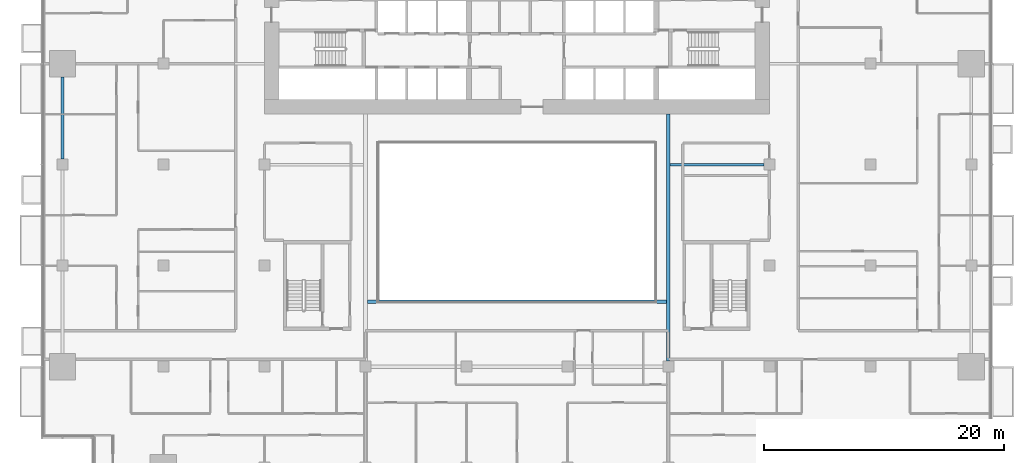
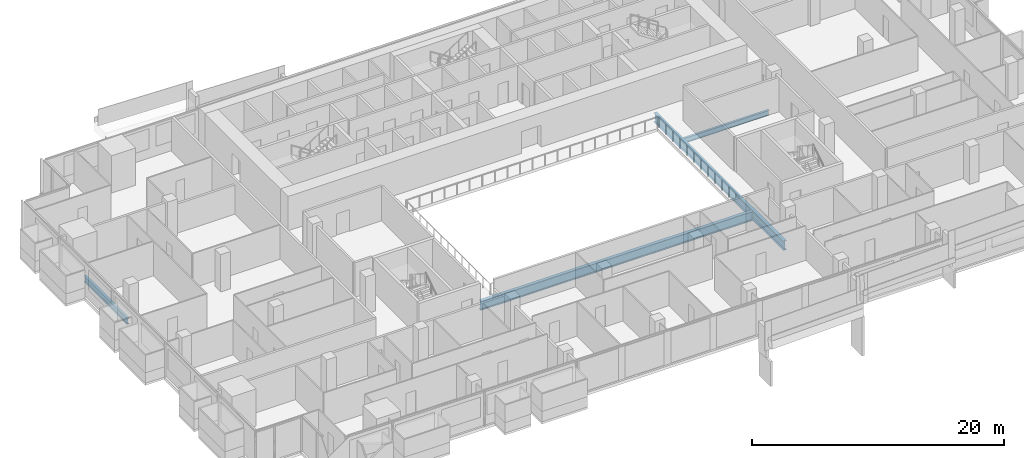
# One storey, part 7 of 27: 4 beams.
"""IFC4 building model written with IfcOpenShell, lengths in metres."""

import ifcopenshell
import ifcopenshell.guid

model = None  # the IFC model being written
_history = None  # IfcOwnerHistory: only IFC2X3 demands one
_inside = {}  # id of a spatial element -> (the spatial element, [elements in it])
_under = {}  # id of a project, library or spatial element -> (it, [spatial elements below it])
_declared = {}  # id of a project -> (the project, [libraries it declares])
_typed = {}  # id of a type object -> (the type object, [elements of that type])
_made_of = {}  # id of a material, layer set ... -> (it, [elements and type objects made of it])


def new_model(schema):
    """Start an empty IFC model of exactly this schema.

    Asked for "IFC4X3", IfcOpenShell would pick the latest addendum, in which some entities
    have other attributes; the version numbers below select the first issue.
    IFC2X3 requires an IfcOwnerHistory on every rooted entity: one is made here for all.
    """
    global model, _history
    if schema == "IFC4X3":
        model = ifcopenshell.file(schema_version=(4, 3, 0, 0))
    else:
        model = ifcopenshell.file(schema=schema)
    _inside.clear()
    _under.clear()
    _declared.clear()
    _typed.clear()
    _made_of.clear()
    _history = None
    if model.schema == "IFC2X3":
        org = make("IfcOrganization", Name="unknown")
        user = make(
            "IfcPersonAndOrganization",
            ThePerson=make("IfcPerson", FamilyName="unknown"),
            TheOrganization=org,
        )
        app = make(
            "IfcApplication",
            ApplicationDeveloper=org,
            Version="unknown",
            ApplicationFullName="unknown",
            ApplicationIdentifier="unknown",
        )
        _history = make(
            "IfcOwnerHistory",
            OwningUser=user,
            OwningApplication=app,
            ChangeAction="ADDED",
            CreationDate=0,
        )
    return model


def make(cls, **values):
    """One entity of the class cls with the attributes given. An attribute that is None is left unset."""
    return model.create_entity(
        cls, **{name: value for name, value in values.items() if value is not None}
    )


def rooted(cls, **values):
    """An entity with a GlobalId (a new one), such as an element, a storey or a relation."""
    return make(cls, GlobalId=ifcopenshell.guid.new(), OwnerHistory=_history, **values)


def si_unit(unit_type, name, prefix=None):
    """IfcSIUnit, for example si_unit("LENGTHUNIT", "METRE", prefix="MILLI")."""
    return make("IfcSIUnit", UnitType=unit_type, Prefix=prefix, Name=name)


def assignment(units):
    """IfcUnitAssignment: the units of a project."""
    return None if units is None else make("IfcUnitAssignment", Units=units)


def point(xyz):
    """IfcCartesianPoint."""
    return None if xyz is None else make("IfcCartesianPoint", Coordinates=xyz)


def direction(xyz):
    """IfcDirection."""
    return None if xyz is None else make("IfcDirection", DirectionRatios=xyz)


def frame(location, z_axis=None, x_axis=None):
    """IfcAxis2Placement3D, a coordinate frame: its origin and axes. An axis left out is left unset."""
    return make(
        "IfcAxis2Placement3D",
        Location=point(location),
        Axis=direction(z_axis),
        RefDirection=direction(x_axis),
    )


def frame_2d(location, x_axis=None):
    """IfcAxis2Placement2D, a coordinate frame in the plane: its origin and x axis."""
    return make(
        "IfcAxis2Placement2D", Location=point(location), RefDirection=direction(x_axis)
    )


def origin():
    """The frame at (0, 0, 0) with its axes left unset."""
    return frame((0.0, 0.0, 0.0))


def origin_2d():
    """The frame at (0, 0) in the plane with its x axis left unset."""
    return frame_2d((0.0, 0.0))


def place(relative_to, where):
    """IfcLocalPlacement: puts the frame where relative to a parent placement (None: the world)."""
    return make(
        "IfcLocalPlacement", PlacementRelTo=relative_to, RelativePlacement=where
    )


def context(
    kind, dimensions, precision=None, world=None, true_north=None, identifier=None
):
    """IfcGeometricRepresentationContext, for example the 3D "Model" context."""
    return make(
        "IfcGeometricRepresentationContext",
        ContextIdentifier=identifier,
        ContextType=kind,
        CoordinateSpaceDimension=dimensions,
        Precision=precision,
        WorldCoordinateSystem=world,
        TrueNorth=true_north,
    )


def subcontext(parent, identifier, kind, view, scale=None):
    """IfcGeometricRepresentationSubContext, for example "Body" below "Model"."""
    return make(
        "IfcGeometricRepresentationSubContext",
        ContextIdentifier=identifier,
        ContextType=kind,
        ParentContext=parent,
        TargetScale=scale,
        TargetView=view,
    )


def project(units=None, contexts=None):
    """IfcProject with its units and contexts."""
    return rooted(
        "IfcProject",
        Name="project",
        RepresentationContexts=contexts,
        UnitsInContext=assignment(units),
    )


def spatial(cls, under=None, at=None, **own):
    """A site, building, storey or space (cls), placed at a placement, below another one or the project."""
    s = rooted(cls, ObjectPlacement=at, **own)
    if under is not None:
        _under.setdefault(under.id(), (under, []))[1].append(s)
    return s


def profile(cls, at=None, kind="AREA", **sizes):
    """A parametric profile (cls). Its sizes go by their IFC names, for example OverallWidth=200.0."""
    return make(cls, ProfileType=kind, Position=at, **sizes)


def i_section(**sizes):
    """IfcIShapeProfileDef."""
    return profile("IfcIShapeProfileDef", **sizes)


def extrude(swept, where, along, depth):
    """IfcExtrudedAreaSolid: the profile swept, set in the frame where, extruded along a direction by depth."""
    return make(
        "IfcExtrudedAreaSolid",
        SweptArea=swept,
        Position=where,
        ExtrudedDirection=direction(along),
        Depth=depth,
    )


def shape(context_of_items, identifier, shape_type, items):
    """IfcShapeRepresentation: the items that make up one representation, for example the "Body"."""
    return make(
        "IfcShapeRepresentation",
        ContextOfItems=context_of_items,
        RepresentationIdentifier=identifier,
        RepresentationType=shape_type,
        Items=items,
    )


def material(Name=None, Category=None):
    """IfcMaterial."""
    return make("IfcMaterial", Name=Name, Category=Category)


def material_profile(
    of_material, cross_section, Name=None, Category=None, Priority=None
):
    """IfcMaterialProfile: a cross section and its material."""
    return make(
        "IfcMaterialProfile",
        Name=Name,
        Material=of_material,
        Profile=cross_section,
        Priority=Priority,
        Category=Category,
    )


def profile_set(profiles, Name=None, composite=None):
    """IfcMaterialProfileSet."""
    return make(
        "IfcMaterialProfileSet",
        Name=Name,
        MaterialProfiles=profiles,
        CompositeProfile=composite,
    )


def made_of(thing, what):
    """Note that an element or type object is made of a material, layer set ...; save() writes the relation."""
    if what is not None:
        _made_of.setdefault(what.id(), (what, []))[1].append(thing)
    return thing


def type_object(cls, material=None, **own):
    """A type object (cls), such as IfcWallType, which elements share."""
    return made_of(rooted(cls, **own), material)


def element(
    cls,
    number,
    at=None,
    inside=None,
    cuts=None,
    type_object=None,
    material=None,
    context=None,
    identifier="Body",
    shape_type=None,
    held_by="IfcProductDefinitionShape",
    body=None,
    shapes=None,
    **own,
):
    """One element of the class cls, such as IfcWall. Its Tag is "e" and its number.

    at: its placement. inside: the storey or other place that contains it. cuts: it is an
    opening in that element (IfcRelVoidsElement). A single representation is given by context,
    identifier, shape_type and body (its items); several are given by shapes. held_by: the class
    of the entity that holds the representations. save() writes the other relations.
    """
    e = rooted(cls, Tag="e%d" % number, ObjectPlacement=at, **own)
    if body is not None:
        shapes = [shape(context, identifier, shape_type, body)]
    if shapes is not None:
        e.Representation = make(held_by, Representations=shapes)
    if inside is not None:
        _inside.setdefault(inside.id(), (inside, []))[1].append(e)
    if cuts is not None:
        rooted(
            "IfcRelVoidsElement", RelatingBuildingElement=cuts, RelatedOpeningElement=e
        )
    if type_object is not None:
        _typed.setdefault(type_object.id(), (type_object, []))[1].append(e)
    return made_of(e, material)


def aggregate(whole, parts):
    """IfcRelAggregates: a whole, such as a stair, and the parts it consists of."""
    return rooted("IfcRelAggregates", RelatingObject=whole, RelatedObjects=parts)


def save(model, path):
    """Write the relations noted so far, then the file.

    IfcRelAggregates (storeys below a building ...), IfcRelContainedInSpatialStructure (elements
    in a storey), IfcRelDefinesByType, IfcRelAssociatesMaterial and IfcRelDeclares: one each for
    every whole, place, type object, material and project.
    """
    for whole, parts in _under.values():
        aggregate(whole, parts)
    for where, things in _inside.values():
        rooted(
            "IfcRelContainedInSpatialStructure",
            RelatedElements=things,
            RelatingStructure=where,
        )
    for kind, things in _typed.values():
        rooted("IfcRelDefinesByType", RelatedObjects=things, RelatingType=kind)
    for what, things in _made_of.values():
        rooted("IfcRelAssociatesMaterial", RelatedObjects=things, RelatingMaterial=what)
    for by, libraries in _declared.values():
        rooted("IfcRelDeclares", RelatingContext=by, RelatedDefinitions=libraries)
    model.write(path)


model = new_model("IFC4")

# Units and contexts
model_context = context("Model", 3, precision=1e-05, world=origin(), true_north=direction((0.0, 1.0)))
body_context = subcontext(model_context, "Body", "Model", "MODEL_VIEW")
ifc_project = project(units=[si_unit("LENGTHUNIT", "METRE"), si_unit("AREAUNIT", "SQUARE_METRE"), si_unit("VOLUMEUNIT", "CUBIC_METRE"), si_unit("PLANEANGLEUNIT", "RADIAN"), si_unit("MASSUNIT", "GRAM", prefix="KILO")], contexts=[model_context])

# Site, building, storey
site_placement = place(None, origin())
site = spatial("IfcSite", under=ifc_project, at=site_placement, CompositionType="ELEMENT")
building_placement = place(site_placement, origin())
building = spatial("IfcBuilding", under=site, at=building_placement, Name="Saffron Gate Tower", CompositionType="ELEMENT")
storey_placement = place(building_placement, frame((0.0, 0.0, 44.39990234375)))
storey = spatial("IfcBuildingStorey", under=building, at=storey_placement, Name="L09", CompositionType="ELEMENT", Elevation=44.39990234375)

# Beams
ifc_material = material(Name="Structural steel S355", Category="steel")
ifc_material_profile_1 = material_profile(ifc_material, i_section(OverallWidth=0.199951171875, OverallDepth=0.5, WebThickness=0.01025390625, FlangeThickness=0.01611328125, FilletRadius=0.02099609375, at=origin_2d()))
ifc_profile_set_1 = profile_set([ifc_material_profile_1], Name="Structural steel S355")
beam_type_1 = type_object("IfcBeamType", Name="B10 IPE 500", PredefinedType="BEAM", material=ifc_profile_set_1)
beam_1_placement = place(storey_placement, frame((108.14990234375, 57.0, -0.52978515625), z_axis=(-1.0, 0.0, 0.0), x_axis=(0.0, -1.0, 0.0)))
element("IfcBeam", 1, at=beam_1_placement, inside=storey, type_object=beam_type_1, Name="B10 CORE TIE BEAM", PredefinedType="BEAM", context=body_context, shape_type="SweptSolid", body=[
    extrude(i_section(OverallWidth=0.199951171875, OverallDepth=0.5, WebThickness=0.01025390625, FlangeThickness=0.01611328125, FilletRadius=0.02099609375, at=origin_2d()), origin(), (0.0, 0.0, 1.0), 7.7998046875),
])
ifc_material_profile_2 = material_profile(ifc_material, i_section(OverallWidth=0.219970703125, OverallDepth=0.60009765625, WebThickness=0.011962890625, FlangeThickness=0.01904296875, FilletRadius=0.02392578125, at=origin_2d()))
ifc_profile_set_2 = profile_set([ifc_material_profile_2], Name="Structural steel S355")
beam_type_2 = type_object("IfcBeamType", Name="B16 IPE 600", PredefinedType="SPANDREL", material=ifc_profile_set_2)
beam_2_placement = place(storey_placement, frame((49.800048828125, 57.449951171875, -0.579833984375), z_axis=(0.0, 1.0, 0.0), x_axis=(-1.0, 0.0, 0.0)))
element("IfcBeam", 2, at=beam_2_placement, inside=storey, type_object=beam_type_2, Name="B16 SPANDREL BEAM", PredefinedType="SPANDREL", context=body_context, shape_type="SweptSolid", body=[
    extrude(i_section(OverallWidth=0.219970703125, OverallDepth=0.60009765625, WebThickness=0.011962890625, FlangeThickness=0.01904296875, FilletRadius=0.02392578125, at=origin_2d()), origin(), (0.0, 0.0, 1.0), 6.85009765625),
])
ifc_material_profile_3 = material_profile(ifc_material, i_section(OverallWidth=0.300048828125, OverallDepth=0.889892578125, WebThickness=0.01611328125, FlangeThickness=0.030029296875, FilletRadius=0.030029296875, at=origin_2d()))
ifc_profile_set_3 = profile_set([ifc_material_profile_3], Name="Structural steel S355")
beam_type_3 = type_object("IfcBeamType", Name="B19 HEA 900", PredefinedType="BEAM", material=ifc_profile_set_3)
beam_3_placement = place(storey_placement, frame((100.199951171875, 40.64990234375, -0.724853515625), z_axis=(0.0, 1.0, 0.0), x_axis=(-1.0, 0.0, 0.0)))
element("IfcBeam", 3, at=beam_3_placement, inside=storey, type_object=beam_type_3, Name="B19 ATRIUM GIRDER", PredefinedType="BEAM", context=body_context, shape_type="SweptSolid", body=[
    extrude(i_section(OverallWidth=0.300048828125, OverallDepth=0.889892578125, WebThickness=0.01611328125, FlangeThickness=0.030029296875, FilletRadius=0.030029296875, at=origin_2d()), origin(), (0.0, 0.0, 1.0), 20.550048828125),
])
beam_4_placement = place(storey_placement, frame((75.14990234375, 45.60009765625, -0.724853515625), z_axis=(1.0, 0.0, 0.0), x_axis=(0.0, 1.0, 0.0)))
element("IfcBeam", 4, at=beam_4_placement, inside=storey, type_object=beam_type_3, Name="B19 ATRIUM GIRDER", PredefinedType="BEAM", context=body_context, shape_type="SweptSolid", body=[
    extrude(i_section(OverallWidth=0.300048828125, OverallDepth=0.889892578125, WebThickness=0.01611328125, FlangeThickness=0.030029296875, FilletRadius=0.030029296875, at=origin_2d()), origin(), (0.0, 0.0, 1.0), 24.900146484375),
])

save(model, "model.ifc")
